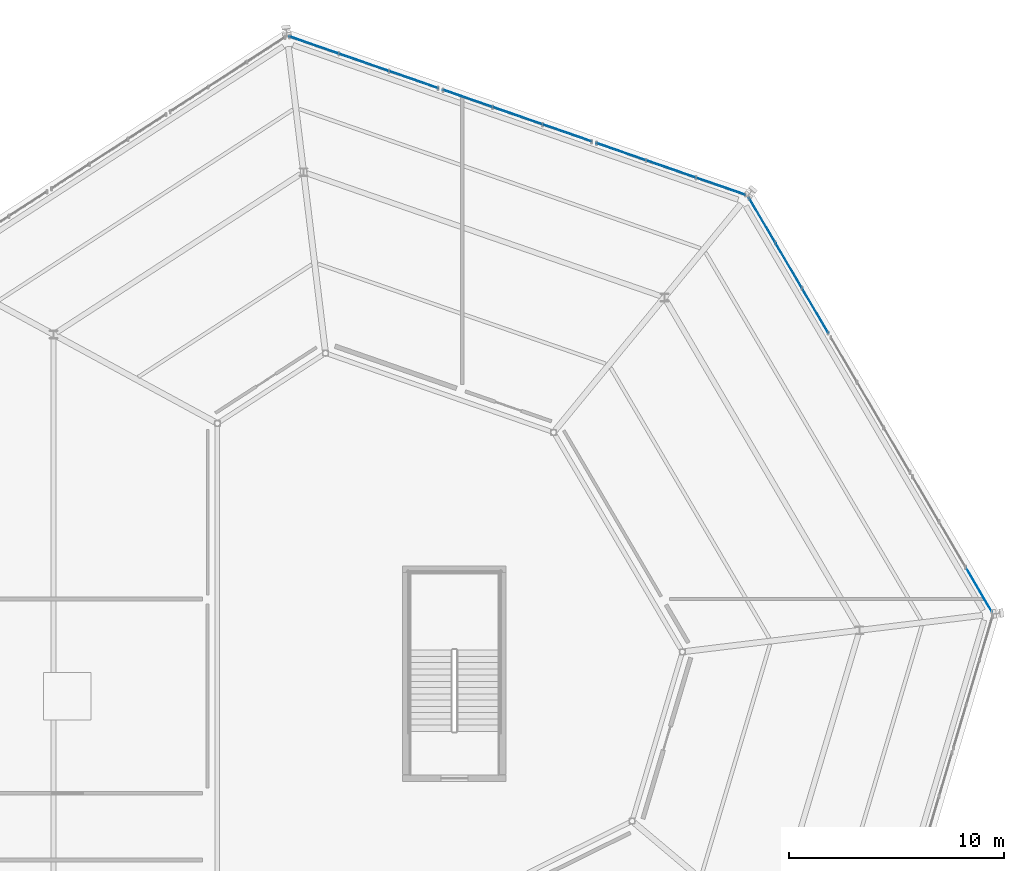
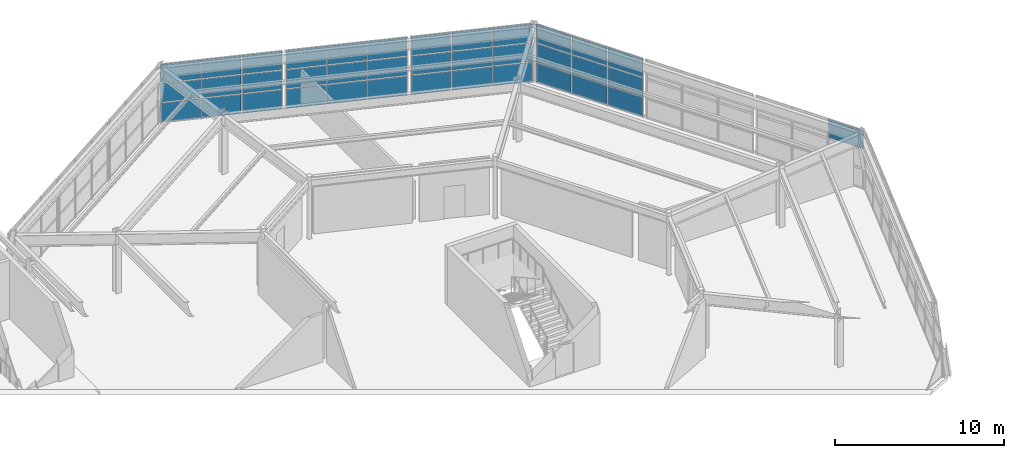
# One storey, part 52 of 77: 37 plates, 5 elements without a shape of their own.
"""IFC4 building model written with IfcOpenShell, lengths in metres."""

from ifc_helpers import new_model, si_unit, direction, frame, origin, origin_2d, place, context, subcontext, project, spatial, rectangle, extrude, material, layer, layer_set, type_object, element, aggregate, save


model = new_model("IFC4")

# Units and contexts
model_context = context("Model", 3, precision=1e-05, world=origin(), true_north=direction((0.0, 1.0)))
body_context = subcontext(model_context, "Body", "Model", "MODEL_VIEW")
ifc_project = project(units=[si_unit("LENGTHUNIT", "METRE"), si_unit("AREAUNIT", "SQUARE_METRE"), si_unit("VOLUMEUNIT", "CUBIC_METRE"), si_unit("PLANEANGLEUNIT", "RADIAN"), si_unit("MASSUNIT", "GRAM", prefix="KILO")], contexts=[model_context])

# Site, building, storey
site_placement = place(None, origin())
site = spatial("IfcSite", under=ifc_project, at=site_placement, CompositionType="ELEMENT")
building_placement = place(site_placement, origin())
building = spatial("IfcBuilding", under=site, at=building_placement, Name="Sarnbrook Museum", CompositionType="ELEMENT")
storey_placement = place(building_placement, frame((0.0, 0.0, 5.60009765625)))
storey = spatial("IfcBuildingStorey", under=building, at=storey_placement, Name="L01", CompositionType="ELEMENT", Elevation=5.60009765625)

# Curtain wall, plate
ifc_material_1 = material(Name="Thermally Broken Anodised Aluminium 6063-T6", Category="aluminium")
curtain_wall_type = type_object("IfcCurtainWallType", Name="CurtainWall_CrystalFacet", PredefinedType="NOTDEFINED", material=ifc_material_1)
curtain_wall_1_placement = place(storey_placement, origin())
curtain_wall_1 = element("IfcCurtainWall", 1, at=curtain_wall_1_placement, inside=storey, type_object=curtain_wall_type, Name="Crystal Hall Facet Curtain Wall L01-F4.1", PredefinedType="NOTDEFINED")
ifc_material_2 = material(Name="Double-Glazed Low-Iron Laminated Safety Glass", Category="glass")
ifc_layer_1 = layer(ifc_material_2, 0.031982421875)
ifc_layer_set_1 = layer_set([ifc_layer_1], Name="Double-Glazed Low-Iron Laminated Safety Glass")
plate_type_1 = type_object("IfcPlateType", Name="CW_GlazedPanel_32", PredefinedType="CURTAIN_PANEL", material=ifc_layer_set_1)
plate_1_placement = place(storey_placement, frame((168.131591796875, 89.08349609375, 3.544921875), z_axis=(0.86249818812, 0.506060150071, 0.0), x_axis=(-0.506060150071, 0.86249818812, 0.0)))
plate_1 = element("IfcPlate", 2, at=plate_1_placement, type_object=plate_type_1, Name="Crystal Hall Facet Curtain Wall L01-F4.1 Glazed Panel 1-3", PredefinedType="CURTAIN_PANEL", context=body_context, shape_type="SweptSolid", body=[
    extrude(rectangle(XDim=2.37158203125, YDim=1.320068359375, at=origin_2d()), origin(), (0.0, 0.0, 1.0), 0.031982421875),
])
aggregate(curtain_wall_1, [plate_1])

# Curtain wall, plates
curtain_wall_2_placement = place(storey_placement, origin())
curtain_wall_2 = element("IfcCurtainWall", 3, at=curtain_wall_2_placement, inside=storey, type_object=curtain_wall_type, Name="Crystal Hall Facet Curtain Wall L01-F4.3", PredefinedType="NOTDEFINED")
plate_2_placement = place(storey_placement, frame((160.54052734375, 102.021240234375, 2.14990234375), z_axis=(0.86249818812, 0.506060150071, 0.0), x_axis=(-0.506060150071, 0.86249818812, 0.0)))
plate_2 = element("IfcPlate", 4, at=plate_2_placement, type_object=plate_type_1, Name="Crystal Hall Facet Curtain Wall L01-F4.3 Glazed Panel 1-2", PredefinedType="CURTAIN_PANEL", context=body_context, shape_type="SweptSolid", body=[
    extrude(rectangle(XDim=2.37158203125, YDim=1.330078125, at=origin_2d()), origin(), (0.0, 0.0, 1.0), 0.031982421875),
])
plate_3_placement = place(storey_placement, frame((160.54052734375, 102.021240234375, 3.544921875), z_axis=(0.86249818812, 0.506060150071, 0.0), x_axis=(-0.506060150071, 0.86249818812, 0.0)))
plate_3 = element("IfcPlate", 5, at=plate_3_placement, type_object=plate_type_1, Name="Crystal Hall Facet Curtain Wall L01-F4.3 Glazed Panel 1-3", PredefinedType="CURTAIN_PANEL", context=body_context, shape_type="SweptSolid", body=[
    extrude(rectangle(XDim=2.37158203125, YDim=1.320068359375, at=origin_2d()), origin(), (0.0, 0.0, 1.0), 0.031982421875),
])
plate_4_placement = place(storey_placement, frame((159.30224609375, 104.131591796875, 2.14990234375), z_axis=(0.86249818812, 0.506060150071, 0.0), x_axis=(-0.506060150071, 0.86249818812, 0.0)))
plate_4 = element("IfcPlate", 6, at=plate_4_placement, type_object=plate_type_1, Name="Crystal Hall Facet Curtain Wall L01-F4.3 Glazed Panel 2-2", PredefinedType="CURTAIN_PANEL", context=body_context, shape_type="SweptSolid", body=[
    extrude(rectangle(XDim=2.37158203125, YDim=1.330078125, at=origin_2d()), origin(), (0.0, 0.0, 1.0), 0.031982421875),
])
plate_5_placement = place(storey_placement, frame((159.30224609375, 104.131591796875, 3.544921875), z_axis=(0.86249818812, 0.506060150071, 0.0), x_axis=(-0.506060150071, 0.86249818812, 0.0)))
plate_5 = element("IfcPlate", 7, at=plate_5_placement, type_object=plate_type_1, Name="Crystal Hall Facet Curtain Wall L01-F4.3 Glazed Panel 2-3", PredefinedType="CURTAIN_PANEL", context=body_context, shape_type="SweptSolid", body=[
    extrude(rectangle(XDim=2.37158203125, YDim=1.320068359375, at=origin_2d()), origin(), (0.0, 0.0, 1.0), 0.031982421875),
])
plate_6_placement = place(storey_placement, frame((158.064208984375, 106.241943359375, 2.14990234375), z_axis=(0.86249818812, 0.506060150071, 0.0), x_axis=(-0.506060150071, 0.86249818812, 0.0)))
plate_6 = element("IfcPlate", 8, at=plate_6_placement, type_object=plate_type_1, Name="Crystal Hall Facet Curtain Wall L01-F4.3 Glazed Panel 3-2", PredefinedType="CURTAIN_PANEL", context=body_context, shape_type="SweptSolid", body=[
    extrude(rectangle(XDim=2.37158203125, YDim=1.330078125, at=origin_2d()), origin(), (0.0, 0.0, 1.0), 0.031982421875),
])
plate_7_placement = place(storey_placement, frame((158.064208984375, 106.241943359375, 3.544921875), z_axis=(0.86249818812, 0.506060150071, 0.0), x_axis=(-0.506060150071, 0.86249818812, 0.0)))
plate_7 = element("IfcPlate", 9, at=plate_7_placement, type_object=plate_type_1, Name="Crystal Hall Facet Curtain Wall L01-F4.3 Glazed Panel 3-3", PredefinedType="CURTAIN_PANEL", context=body_context, shape_type="SweptSolid", body=[
    extrude(rectangle(XDim=2.37158203125, YDim=1.320068359375, at=origin_2d()), origin(), (0.0, 0.0, 1.0), 0.031982421875),
])

curtain_wall_3_placement = place(storey_placement, origin())
curtain_wall_3 = element("IfcCurtainWall", 10, at=curtain_wall_3_placement, inside=storey, type_object=curtain_wall_type, Name="Crystal Hall Facet Curtain Wall L01-F5.1", PredefinedType="NOTDEFINED")
plate_8_placement = place(storey_placement, frame((156.1708984375, 107.79248046875, 2.14990234375), z_axis=(0.328011963027, 0.944673569076, 0.0), x_axis=(-0.944673569076, 0.328011963027, 0.0)))
plate_8 = element("IfcPlate", 11, at=plate_8_placement, type_object=plate_type_1, Name="Crystal Hall Facet Curtain Wall L01-F5.1 Glazed Panel 1-2", PredefinedType="CURTAIN_PANEL", context=body_context, shape_type="SweptSolid", body=[
    extrude(rectangle(XDim=2.385498046875, YDim=1.330078125, at=origin_2d()), origin(), (0.0, 0.0, 1.0), 0.031982421875),
])
plate_9_placement = place(storey_placement, frame((156.1708984375, 107.79248046875, 3.544921875), z_axis=(0.328011963027, 0.944673569076, 0.0), x_axis=(-0.944673569076, 0.328011963027, 0.0)))
plate_9 = element("IfcPlate", 12, at=plate_9_placement, type_object=plate_type_1, Name="Crystal Hall Facet Curtain Wall L01-F5.1 Glazed Panel 1-3", PredefinedType="CURTAIN_PANEL", context=body_context, shape_type="SweptSolid", body=[
    extrude(rectangle(XDim=2.385498046875, YDim=1.320068359375, at=origin_2d()), origin(), (0.0, 0.0, 1.0), 0.031982421875),
])
plate_10_placement = place(storey_placement, frame((153.846435546875, 108.599365234375, 2.14990234375), z_axis=(0.328011963027, 0.944673569076, 0.0), x_axis=(-0.944673569076, 0.328011963027, 0.0)))
plate_10 = element("IfcPlate", 13, at=plate_10_placement, type_object=plate_type_1, Name="Crystal Hall Facet Curtain Wall L01-F5.1 Glazed Panel 2-2", PredefinedType="CURTAIN_PANEL", context=body_context, shape_type="SweptSolid", body=[
    extrude(rectangle(XDim=2.385498046875, YDim=1.330078125, at=origin_2d()), origin(), (0.0, 0.0, 1.0), 0.031982421875),
])
plate_11_placement = place(storey_placement, frame((153.846435546875, 108.599365234375, 3.544921875), z_axis=(0.328011963027, 0.944673569076, 0.0), x_axis=(-0.944673569076, 0.328011963027, 0.0)))
plate_11 = element("IfcPlate", 14, at=plate_11_placement, type_object=plate_type_1, Name="Crystal Hall Facet Curtain Wall L01-F5.1 Glazed Panel 2-3", PredefinedType="CURTAIN_PANEL", context=body_context, shape_type="SweptSolid", body=[
    extrude(rectangle(XDim=2.385498046875, YDim=1.320068359375, at=origin_2d()), origin(), (0.0, 0.0, 1.0), 0.031982421875),
])
plate_12_placement = place(storey_placement, frame((151.52197265625, 109.406494140625, 2.14990234375), z_axis=(0.328011963027, 0.944673569076, 0.0), x_axis=(-0.944673569076, 0.328011963027, 0.0)))
plate_12 = element("IfcPlate", 15, at=plate_12_placement, type_object=plate_type_1, Name="Crystal Hall Facet Curtain Wall L01-F5.1 Glazed Panel 3-2", PredefinedType="CURTAIN_PANEL", context=body_context, shape_type="SweptSolid", body=[
    extrude(rectangle(XDim=2.385498046875, YDim=1.330078125, at=origin_2d()), origin(), (0.0, 0.0, 1.0), 0.031982421875),
])
plate_13_placement = place(storey_placement, frame((151.52197265625, 109.406494140625, 3.544921875), z_axis=(0.328011963027, 0.944673569076, 0.0), x_axis=(-0.944673569076, 0.328011963027, 0.0)))
plate_13 = element("IfcPlate", 16, at=plate_13_placement, type_object=plate_type_1, Name="Crystal Hall Facet Curtain Wall L01-F5.1 Glazed Panel 3-3", PredefinedType="CURTAIN_PANEL", context=body_context, shape_type="SweptSolid", body=[
    extrude(rectangle(XDim=2.385498046875, YDim=1.320068359375, at=origin_2d()), origin(), (0.0, 0.0, 1.0), 0.031982421875),
])

curtain_wall_4_placement = place(storey_placement, origin())
curtain_wall_4 = element("IfcCurtainWall", 17, at=curtain_wall_4_placement, inside=storey, type_object=curtain_wall_type, Name="Crystal Hall Facet Curtain Wall L01-F5.2", PredefinedType="NOTDEFINED")
plate_14_placement = place(storey_placement, frame((149.04638671875, 110.26611328125, 2.14990234375), z_axis=(0.328011963027, 0.944673569076, 0.0), x_axis=(-0.944673569076, 0.328011963027, 0.0)))
plate_14 = element("IfcPlate", 18, at=plate_14_placement, type_object=plate_type_1, Name="Crystal Hall Facet Curtain Wall L01-F5.2 Glazed Panel 1-2", PredefinedType="CURTAIN_PANEL", context=body_context, shape_type="SweptSolid", body=[
    extrude(rectangle(XDim=2.385498046875, YDim=1.330078125, at=origin_2d()), origin(), (0.0, 0.0, 1.0), 0.031982421875),
])
plate_15_placement = place(storey_placement, frame((149.04638671875, 110.26611328125, 3.544921875), z_axis=(0.328011963027, 0.944673569076, 0.0), x_axis=(-0.944673569076, 0.328011963027, 0.0)))
plate_15 = element("IfcPlate", 19, at=plate_15_placement, type_object=plate_type_1, Name="Crystal Hall Facet Curtain Wall L01-F5.2 Glazed Panel 1-3", PredefinedType="CURTAIN_PANEL", context=body_context, shape_type="SweptSolid", body=[
    extrude(rectangle(XDim=2.385498046875, YDim=1.320068359375, at=origin_2d()), origin(), (0.0, 0.0, 1.0), 0.031982421875),
])
plate_16_placement = place(storey_placement, frame((146.721923828125, 111.0732421875, 2.14990234375), z_axis=(0.328011963027, 0.944673569076, 0.0), x_axis=(-0.944673569076, 0.328011963027, 0.0)))
plate_16 = element("IfcPlate", 20, at=plate_16_placement, type_object=plate_type_1, Name="Crystal Hall Facet Curtain Wall L01-F5.2 Glazed Panel 2-2", PredefinedType="CURTAIN_PANEL", context=body_context, shape_type="SweptSolid", body=[
    extrude(rectangle(XDim=2.385498046875, YDim=1.330078125, at=origin_2d()), origin(), (0.0, 0.0, 1.0), 0.031982421875),
])
plate_17_placement = place(storey_placement, frame((146.721923828125, 111.0732421875, 3.544921875), z_axis=(0.328011963027, 0.944673569076, 0.0), x_axis=(-0.944673569076, 0.328011963027, 0.0)))
plate_17 = element("IfcPlate", 21, at=plate_17_placement, type_object=plate_type_1, Name="Crystal Hall Facet Curtain Wall L01-F5.2 Glazed Panel 2-3", PredefinedType="CURTAIN_PANEL", context=body_context, shape_type="SweptSolid", body=[
    extrude(rectangle(XDim=2.385498046875, YDim=1.320068359375, at=origin_2d()), origin(), (0.0, 0.0, 1.0), 0.031982421875),
])
plate_18_placement = place(storey_placement, frame((144.3974609375, 111.88037109375, 2.14990234375), z_axis=(0.328011963027, 0.944673569076, 0.0), x_axis=(-0.944673569076, 0.328011963027, 0.0)))
plate_18 = element("IfcPlate", 22, at=plate_18_placement, type_object=plate_type_1, Name="Crystal Hall Facet Curtain Wall L01-F5.2 Glazed Panel 3-2", PredefinedType="CURTAIN_PANEL", context=body_context, shape_type="SweptSolid", body=[
    extrude(rectangle(XDim=2.385498046875, YDim=1.330078125, at=origin_2d()), origin(), (0.0, 0.0, 1.0), 0.031982421875),
])
plate_19_placement = place(storey_placement, frame((144.3974609375, 111.88037109375, 3.544921875), z_axis=(0.328011963027, 0.944673569076, 0.0), x_axis=(-0.944673569076, 0.328011963027, 0.0)))
plate_19 = element("IfcPlate", 23, at=plate_19_placement, type_object=plate_type_1, Name="Crystal Hall Facet Curtain Wall L01-F5.2 Glazed Panel 3-3", PredefinedType="CURTAIN_PANEL", context=body_context, shape_type="SweptSolid", body=[
    extrude(rectangle(XDim=2.385498046875, YDim=1.320068359375, at=origin_2d()), origin(), (0.0, 0.0, 1.0), 0.031982421875),
])

curtain_wall_5_placement = place(storey_placement, origin())
curtain_wall_5 = element("IfcCurtainWall", 24, at=curtain_wall_5_placement, inside=storey, type_object=curtain_wall_type, Name="Crystal Hall Facet Curtain Wall L01-F5.3", PredefinedType="NOTDEFINED")
plate_20_placement = place(storey_placement, frame((141.921630859375, 112.739990234375, 2.14990234375), z_axis=(0.328011963027, 0.944673569076, 0.0), x_axis=(-0.944673569076, 0.328011963027, 0.0)))
plate_20 = element("IfcPlate", 25, at=plate_20_placement, type_object=plate_type_1, Name="Crystal Hall Facet Curtain Wall L01-F5.3 Glazed Panel 1-2", PredefinedType="CURTAIN_PANEL", context=body_context, shape_type="SweptSolid", body=[
    extrude(rectangle(XDim=2.385498046875, YDim=1.330078125, at=origin_2d()), origin(), (0.0, 0.0, 1.0), 0.031982421875),
])
plate_21_placement = place(storey_placement, frame((141.921630859375, 112.739990234375, 3.544921875), z_axis=(0.328011963027, 0.944673569076, 0.0), x_axis=(-0.944673569076, 0.328011963027, 0.0)))
plate_21 = element("IfcPlate", 26, at=plate_21_placement, type_object=plate_type_1, Name="Crystal Hall Facet Curtain Wall L01-F5.3 Glazed Panel 1-3", PredefinedType="CURTAIN_PANEL", context=body_context, shape_type="SweptSolid", body=[
    extrude(rectangle(XDim=2.385498046875, YDim=1.320068359375, at=origin_2d()), origin(), (0.0, 0.0, 1.0), 0.031982421875),
])
plate_22_placement = place(storey_placement, frame((139.59716796875, 113.547119140625, 2.14990234375), z_axis=(0.328011963027, 0.944673569076, 0.0), x_axis=(-0.944673569076, 0.328011963027, 0.0)))
plate_22 = element("IfcPlate", 27, at=plate_22_placement, type_object=plate_type_1, Name="Crystal Hall Facet Curtain Wall L01-F5.3 Glazed Panel 2-2", PredefinedType="CURTAIN_PANEL", context=body_context, shape_type="SweptSolid", body=[
    extrude(rectangle(XDim=2.385498046875, YDim=1.330078125, at=origin_2d()), origin(), (0.0, 0.0, 1.0), 0.031982421875),
])
plate_23_placement = place(storey_placement, frame((139.59716796875, 113.547119140625, 3.544921875), z_axis=(0.328011963027, 0.944673569076, 0.0), x_axis=(-0.944673569076, 0.328011963027, 0.0)))
plate_23 = element("IfcPlate", 28, at=plate_23_placement, type_object=plate_type_1, Name="Crystal Hall Facet Curtain Wall L01-F5.3 Glazed Panel 2-3", PredefinedType="CURTAIN_PANEL", context=body_context, shape_type="SweptSolid", body=[
    extrude(rectangle(XDim=2.385498046875, YDim=1.320068359375, at=origin_2d()), origin(), (0.0, 0.0, 1.0), 0.031982421875),
])
plate_24_placement = place(storey_placement, frame((137.272705078125, 114.354248046875, 2.14990234375), z_axis=(0.328011963027, 0.944673569076, 0.0), x_axis=(-0.944673569076, 0.328011963027, 0.0)))
plate_24 = element("IfcPlate", 29, at=plate_24_placement, type_object=plate_type_1, Name="Crystal Hall Facet Curtain Wall L01-F5.3 Glazed Panel 3-2", PredefinedType="CURTAIN_PANEL", context=body_context, shape_type="SweptSolid", body=[
    extrude(rectangle(XDim=2.385498046875, YDim=1.330078125, at=origin_2d()), origin(), (0.0, 0.0, 1.0), 0.031982421875),
])
plate_25_placement = place(storey_placement, frame((137.272705078125, 114.354248046875, 3.544921875), z_axis=(0.328011963027, 0.944673569076, 0.0), x_axis=(-0.944673569076, 0.328011963027, 0.0)))
plate_25 = element("IfcPlate", 30, at=plate_25_placement, type_object=plate_type_1, Name="Crystal Hall Facet Curtain Wall L01-F5.3 Glazed Panel 3-3", PredefinedType="CURTAIN_PANEL", context=body_context, shape_type="SweptSolid", body=[
    extrude(rectangle(XDim=2.385498046875, YDim=1.320068359375, at=origin_2d()), origin(), (0.0, 0.0, 1.0), 0.031982421875),
])

# Plate
ifc_material_3 = material(Name="Patinated Architectural Bronze")
ifc_layer_2 = layer(ifc_material_3, 0.044921875)
ifc_layer_set_2 = layer_set([ifc_layer_2], Name="Patinated Architectural Bronze")
plate_type_2 = type_object("IfcPlateType", Name="CW_SpandrelPanel_45", PredefinedType="CURTAIN_PANEL", material=ifc_layer_set_2)
plate_26_placement = place(storey_placement, frame((160.534912109375, 102.017822265625, 0.724853515625), z_axis=(0.86249818812, 0.506060150071, 0.0), x_axis=(-0.506060150071, 0.86249818812, 0.0)))
plate_26 = element("IfcPlate", 31, at=plate_26_placement, type_object=plate_type_2, Name="Crystal Hall Facet Curtain Wall L01-F4.3 Spandrel Panel 1-1", PredefinedType="CURTAIN_PANEL", context=body_context, shape_type="SweptSolid", body=[
    extrude(rectangle(XDim=2.37158203125, YDim=1.3798828125, at=origin_2d()), origin(), (0.0, 0.0, 1.0), 0.044921875),
])

plate_27_placement = place(storey_placement, frame((159.296630859375, 104.128173828125, 0.724853515625), z_axis=(0.86249818812, 0.506060150071, 0.0), x_axis=(-0.506060150071, 0.86249818812, 0.0)))
plate_27 = element("IfcPlate", 32, at=plate_27_placement, type_object=plate_type_2, Name="Crystal Hall Facet Curtain Wall L01-F4.3 Spandrel Panel 2-1", PredefinedType="CURTAIN_PANEL", context=body_context, shape_type="SweptSolid", body=[
    extrude(rectangle(XDim=2.37158203125, YDim=1.3798828125, at=origin_2d()), origin(), (0.0, 0.0, 1.0), 0.044921875),
])

plate_28_placement = place(storey_placement, frame((158.05859375, 106.238525390625, 0.724853515625), z_axis=(0.86249818812, 0.506060150071, 0.0), x_axis=(-0.506060150071, 0.86249818812, 0.0)))
plate_28 = element("IfcPlate", 33, at=plate_28_placement, type_object=plate_type_2, Name="Crystal Hall Facet Curtain Wall L01-F4.3 Spandrel Panel 3-1", PredefinedType="CURTAIN_PANEL", context=body_context, shape_type="SweptSolid", body=[
    extrude(rectangle(XDim=2.37158203125, YDim=1.3798828125, at=origin_2d()), origin(), (0.0, 0.0, 1.0), 0.044921875),
])

aggregate(curtain_wall_2, [plate_26, plate_2, plate_3, plate_27, plate_4, plate_5, plate_28, plate_6, plate_7])

plate_29_placement = place(storey_placement, frame((156.168701171875, 107.786376953125, 0.724853515625), z_axis=(0.328011963027, 0.944673569076, 0.0), x_axis=(-0.944673569076, 0.328011963027, 0.0)))
plate_29 = element("IfcPlate", 34, at=plate_29_placement, type_object=plate_type_2, Name="Crystal Hall Facet Curtain Wall L01-F5.1 Spandrel Panel 1-1", PredefinedType="CURTAIN_PANEL", context=body_context, shape_type="SweptSolid", body=[
    extrude(rectangle(XDim=2.385498046875, YDim=1.3798828125, at=origin_2d()), origin(), (0.0, 0.0, 1.0), 0.044921875),
])

plate_30_placement = place(storey_placement, frame((153.84423828125, 108.59326171875, 0.724853515625), z_axis=(0.328011963027, 0.944673569076, 0.0), x_axis=(-0.944673569076, 0.328011963027, 0.0)))
plate_30 = element("IfcPlate", 35, at=plate_30_placement, type_object=plate_type_2, Name="Crystal Hall Facet Curtain Wall L01-F5.1 Spandrel Panel 2-1", PredefinedType="CURTAIN_PANEL", context=body_context, shape_type="SweptSolid", body=[
    extrude(rectangle(XDim=2.385498046875, YDim=1.3798828125, at=origin_2d()), origin(), (0.0, 0.0, 1.0), 0.044921875),
])

plate_31_placement = place(storey_placement, frame((151.519775390625, 109.400390625, 0.724853515625), z_axis=(0.328011963027, 0.944673569076, 0.0), x_axis=(-0.944673569076, 0.328011963027, 0.0)))
plate_31 = element("IfcPlate", 36, at=plate_31_placement, type_object=plate_type_2, Name="Crystal Hall Facet Curtain Wall L01-F5.1 Spandrel Panel 3-1", PredefinedType="CURTAIN_PANEL", context=body_context, shape_type="SweptSolid", body=[
    extrude(rectangle(XDim=2.385498046875, YDim=1.3798828125, at=origin_2d()), origin(), (0.0, 0.0, 1.0), 0.044921875),
])

aggregate(curtain_wall_3, [plate_29, plate_8, plate_9, plate_30, plate_10, plate_11, plate_31, plate_12, plate_13])

plate_32_placement = place(storey_placement, frame((149.044189453125, 110.260009765625, 0.724853515625), z_axis=(0.328011963027, 0.944673569076, 0.0), x_axis=(-0.944673569076, 0.328011963027, 0.0)))
plate_32 = element("IfcPlate", 37, at=plate_32_placement, type_object=plate_type_2, Name="Crystal Hall Facet Curtain Wall L01-F5.2 Spandrel Panel 1-1", PredefinedType="CURTAIN_PANEL", context=body_context, shape_type="SweptSolid", body=[
    extrude(rectangle(XDim=2.385498046875, YDim=1.3798828125, at=origin_2d()), origin(), (0.0, 0.0, 1.0), 0.044921875),
])

plate_33_placement = place(storey_placement, frame((146.7197265625, 111.067138671875, 0.724853515625), z_axis=(0.328011963027, 0.944673569076, 0.0), x_axis=(-0.944673569076, 0.328011963027, 0.0)))
plate_33 = element("IfcPlate", 38, at=plate_33_placement, type_object=plate_type_2, Name="Crystal Hall Facet Curtain Wall L01-F5.2 Spandrel Panel 2-1", PredefinedType="CURTAIN_PANEL", context=body_context, shape_type="SweptSolid", body=[
    extrude(rectangle(XDim=2.385498046875, YDim=1.3798828125, at=origin_2d()), origin(), (0.0, 0.0, 1.0), 0.044921875),
])

plate_34_placement = place(storey_placement, frame((144.395263671875, 111.874267578125, 0.724853515625), z_axis=(0.328011963027, 0.944673569076, 0.0), x_axis=(-0.944673569076, 0.328011963027, 0.0)))
plate_34 = element("IfcPlate", 39, at=plate_34_placement, type_object=plate_type_2, Name="Crystal Hall Facet Curtain Wall L01-F5.2 Spandrel Panel 3-1", PredefinedType="CURTAIN_PANEL", context=body_context, shape_type="SweptSolid", body=[
    extrude(rectangle(XDim=2.385498046875, YDim=1.3798828125, at=origin_2d()), origin(), (0.0, 0.0, 1.0), 0.044921875),
])

aggregate(curtain_wall_4, [plate_32, plate_14, plate_15, plate_33, plate_16, plate_17, plate_34, plate_18, plate_19])

plate_35_placement = place(storey_placement, frame((141.91943359375, 112.73388671875, 0.724853515625), z_axis=(0.328011963027, 0.944673569076, 0.0), x_axis=(-0.944673569076, 0.328011963027, 0.0)))
plate_35 = element("IfcPlate", 40, at=plate_35_placement, type_object=plate_type_2, Name="Crystal Hall Facet Curtain Wall L01-F5.3 Spandrel Panel 1-1", PredefinedType="CURTAIN_PANEL", context=body_context, shape_type="SweptSolid", body=[
    extrude(rectangle(XDim=2.385498046875, YDim=1.3798828125, at=origin_2d()), origin(), (0.0, 0.0, 1.0), 0.044921875),
])

plate_36_placement = place(storey_placement, frame((139.594970703125, 113.541015625, 0.724853515625), z_axis=(0.328011963027, 0.944673569076, 0.0), x_axis=(-0.944673569076, 0.328011963027, 0.0)))
plate_36 = element("IfcPlate", 41, at=plate_36_placement, type_object=plate_type_2, Name="Crystal Hall Facet Curtain Wall L01-F5.3 Spandrel Panel 2-1", PredefinedType="CURTAIN_PANEL", context=body_context, shape_type="SweptSolid", body=[
    extrude(rectangle(XDim=2.385498046875, YDim=1.3798828125, at=origin_2d()), origin(), (0.0, 0.0, 1.0), 0.044921875),
])

plate_37_placement = place(storey_placement, frame((137.2705078125, 114.34814453125, 0.724853515625), z_axis=(0.328011963027, 0.944673569076, 0.0), x_axis=(-0.944673569076, 0.328011963027, 0.0)))
plate_37 = element("IfcPlate", 42, at=plate_37_placement, type_object=plate_type_2, Name="Crystal Hall Facet Curtain Wall L01-F5.3 Spandrel Panel 3-1", PredefinedType="CURTAIN_PANEL", context=body_context, shape_type="SweptSolid", body=[
    extrude(rectangle(XDim=2.385498046875, YDim=1.3798828125, at=origin_2d()), origin(), (0.0, 0.0, 1.0), 0.044921875),
])

aggregate(curtain_wall_5, [plate_35, plate_20, plate_21, plate_36, plate_22, plate_23, plate_37, plate_24, plate_25])

save(model, "model.ifc")
